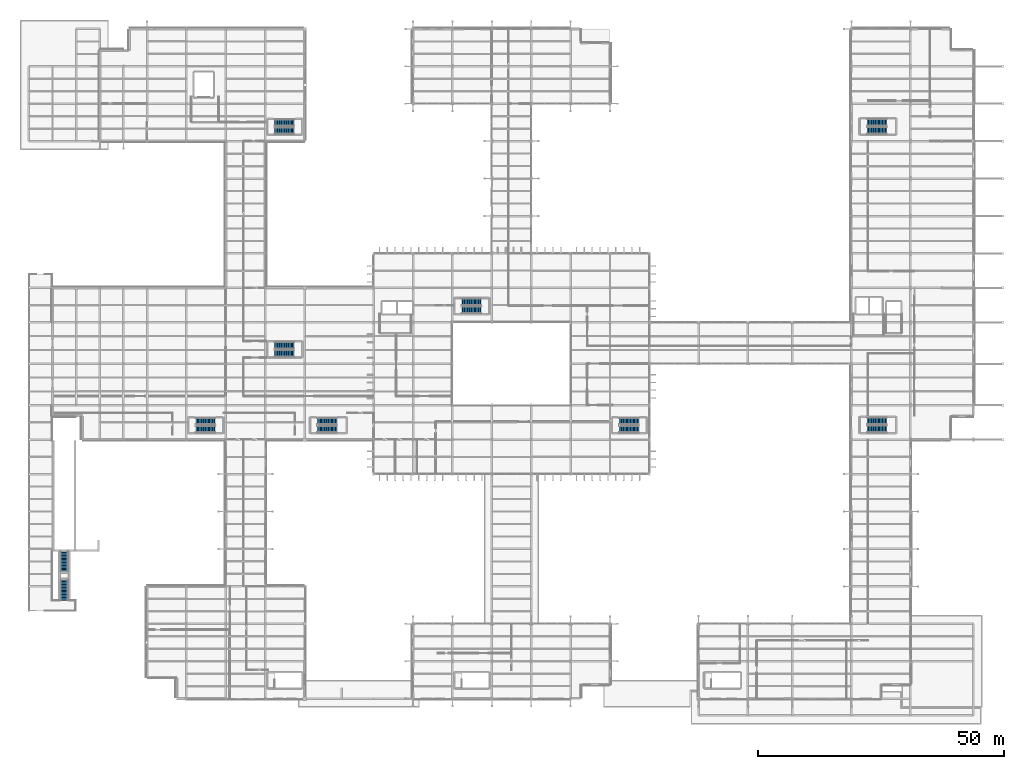
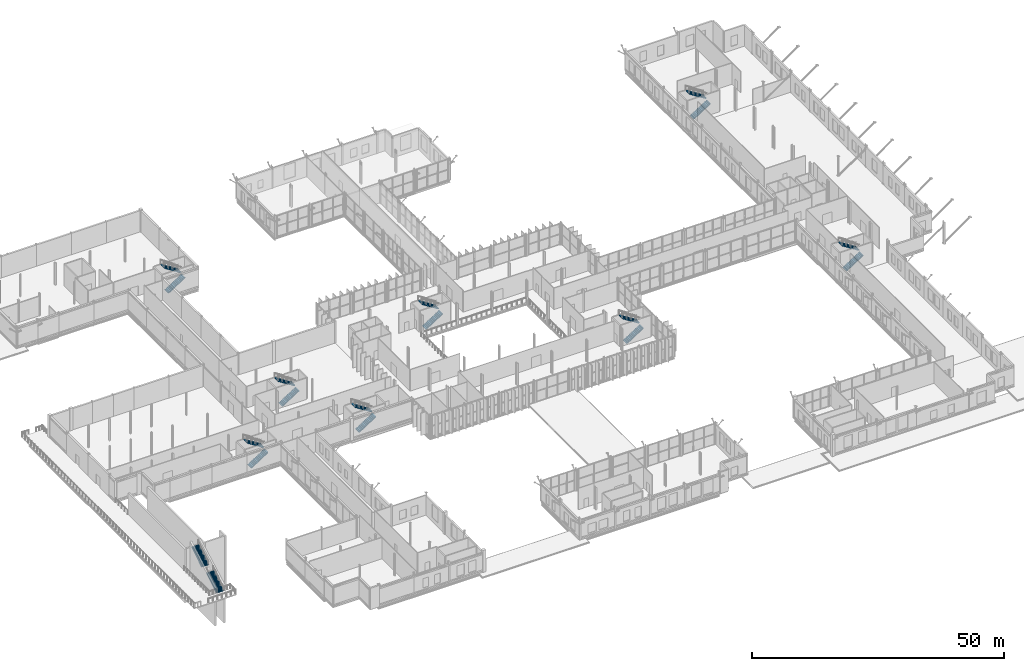
# One storey, part 131 of 147: 18 stair flights, 9 elements without a shape of their own.
"""IFC4 building model written with IfcOpenShell, lengths in metres."""

from ifc_helpers import new_model, si_unit, direction, frame, origin, place, context, subcontext, project, spatial, polyline, outline, extrude, material, type_object, element, aggregate, save


model = new_model("IFC4")

# Units and contexts
model_context = context("Model", 3, precision=1e-05, world=origin(), true_north=direction((0.0, 1.0)))
body_context = subcontext(model_context, "Body", "Model", "MODEL_VIEW")
ifc_project = project(units=[si_unit("LENGTHUNIT", "METRE"), si_unit("AREAUNIT", "SQUARE_METRE"), si_unit("VOLUMEUNIT", "CUBIC_METRE"), si_unit("PLANEANGLEUNIT", "RADIAN"), si_unit("MASSUNIT", "GRAM", prefix="KILO")], contexts=[model_context])

# Site, building, storey
site_placement = place(None, origin())
site = spatial("IfcSite", under=ifc_project, at=site_placement, CompositionType="ELEMENT")
building_placement = place(site_placement, origin())
building = spatial("IfcBuilding", under=site, at=building_placement, Name="Vekula Escarpment Museum", CompositionType="ELEMENT")
storey_placement = place(building_placement, frame((0.0, 0.0, 7.800048828125)))
storey = spatial("IfcBuildingStorey", under=building, at=storey_placement, Name="L02", CompositionType="ELEMENT", Elevation=7.800048828125)

# Stair, stair flights
ifc_material_1 = material(Name="Precast concrete C40/50", Category="concrete")
stair_type_1 = type_object("IfcStairType", Name="STR-AMP-165", PredefinedType="STRAIGHT_RUN_STAIR", material=ifc_material_1)
stair_1_placement = place(storey_placement, origin())
stair_1 = element("IfcStair", 1, at=stair_1_placement, inside=storey, type_object=stair_type_1, Name="South Escarpment Plinth Stair Tier 2 ST-AMP-S2", PredefinedType="STRAIGHT_RUN_STAIR")
ifc_material_2 = material(Name="Precast concrete C40/50", Category="concrete")
stair_flight_type_1 = type_object("IfcStairFlightType", Name="FLT-AMP-165", PredefinedType="STRAIGHT", material=ifc_material_2)
stair_flight_1_placement = place(storey_placement, frame((7.199951171875, 19.97998046875, 0.0), z_axis=(0.0, 0.0, 1.0), x_axis=(0.0, 1.0, 0.0)))
stair_flight_1 = element("IfcStairFlight", 2, at=stair_flight_1_placement, type_object=stair_flight_type_1, Name="ST-AMP-S2 flight 1", NumberOfRisers=15, NumberOfTreads=14, PredefinedType="STRAIGHT", RiserHeight=0.18, TreadLength=0.29, context=body_context, shape_type="SweptSolid", body=[
    extrude(outline(polyline([(0.0, 0.0), (0.0, 0.179931640625), (0.2900390625, 0.179931640625), (0.2900390625, 0.360107421875), (0.580078125, 0.360107421875), (0.580078125, 0.5400390625), (0.8701171875, 0.5400390625), (0.8701171875, 0.719970703125), (1.159912109375, 0.719970703125), (1.159912109375, 0.89990234375), (1.449951171875, 0.89990234375), (1.449951171875, 1.080078125), (1.739990234375, 1.080078125), (1.739990234375, 1.260009765625), (2.030029296875, 1.260009765625), (2.030029296875, 1.43994140625), (2.320068359375, 1.43994140625), (2.320068359375, 1.6201171875), (2.610107421875, 1.6201171875), (2.610107421875, 1.800048828125), (2.89990234375, 1.800048828125), (2.89990234375, 1.97998046875), (3.18994140625, 1.97998046875), (3.18994140625, 2.159912109375), (3.47998046875, 2.159912109375), (3.47998046875, 2.340087890625), (3.77001953125, 2.340087890625), (3.77001953125, 2.52001953125), (4.06005859375, 2.52001953125), (4.06005859375, 2.699951171875), (4.06005859375, 2.30810546875), (0.34130859375, 0.0), (0.0, 0.0)])), frame((0.0, 0.824951171875, 0.0), z_axis=(0.0, -1.0, 0.0), x_axis=(1.0, 0.0, 0.0)), (0.0, 0.0, 1.0), 1.64990234375),
])
stair_flight_2_placement = place(storey_placement, frame((7.199951171875, 25.889892578125, 2.699951171875), z_axis=(0.0, 0.0, 1.0), x_axis=(0.0, 1.0, 0.0)))
stair_flight_2 = element("IfcStairFlight", 3, at=stair_flight_2_placement, type_object=stair_flight_type_1, Name="ST-AMP-S2 flight 2", NumberOfRisers=15, NumberOfTreads=14, PredefinedType="STRAIGHT", RiserHeight=0.18, TreadLength=0.29, context=body_context, shape_type="SweptSolid", body=[
    extrude(outline(polyline([(0.0, 0.0), (0.0, 0.179931640625), (0.2900390625, 0.179931640625), (0.2900390625, 0.360107421875), (0.580078125, 0.360107421875), (0.580078125, 0.5400390625), (0.8701171875, 0.5400390625), (0.8701171875, 0.719970703125), (1.159912109375, 0.719970703125), (1.159912109375, 0.89990234375), (1.449951171875, 0.89990234375), (1.449951171875, 1.080078125), (1.739990234375, 1.080078125), (1.739990234375, 1.260009765625), (2.030029296875, 1.260009765625), (2.030029296875, 1.43994140625), (2.320068359375, 1.43994140625), (2.320068359375, 1.6201171875), (2.610107421875, 1.6201171875), (2.610107421875, 1.800048828125), (2.89990234375, 1.800048828125), (2.89990234375, 1.97998046875), (3.18994140625, 1.97998046875), (3.18994140625, 2.159912109375), (3.47998046875, 2.159912109375), (3.47998046875, 2.340087890625), (3.77001953125, 2.340087890625), (3.77001953125, 2.52001953125), (4.06005859375, 2.52001953125), (4.06005859375, 2.699951171875), (4.06005859375, 2.30810546875), (0.34130859375, 0.0), (0.0, 0.0)])), frame((0.0, 0.824951171875, 0.0), z_axis=(0.0, -1.0, 0.0), x_axis=(1.0, 0.0, 0.0)), (0.0, 0.0, 1.0), 1.64990234375),
])
aggregate(stair_1, [stair_flight_1, stair_flight_2])

ifc_material_3 = material(Name="Concrete C35/45", Category="concrete")
stair_type_2 = type_object("IfcStairType", Name="STR-TYPE-142", PredefinedType="HALF_TURN_STAIR", material=ifc_material_3)
stair_2_placement = place(storey_placement, origin())
stair_2 = element("IfcStair", 4, at=stair_2_placement, inside=storey, type_object=stair_type_2, Name="L02 Central West Exit Stair ST-01", PredefinedType="HALF_TURN_STAIR")
ifc_material_4 = material(Name="Concrete C35/45", Category="concrete")
stair_flight_type_2 = type_object("IfcStairFlightType", Name="FLT-TYPE-142", PredefinedType="STRAIGHT", material=ifc_material_4)
stair_flight_3_placement = place(storey_placement, frame((58.6201171875, 54.7099609375, 0.0), z_axis=(0.0, 0.0, 1.0), x_axis=(1.0, 0.0, 0.0)))
stair_flight_3 = element("IfcStairFlight", 5, at=stair_flight_3_placement, type_object=stair_flight_type_2, Name="ST-01 flight 1", NumberOfRisers=15, NumberOfTreads=14, PredefinedType="STRAIGHT", RiserHeight=0.18, TreadLength=0.28, context=body_context, shape_type="SweptSolid", body=[
    extrude(outline(polyline([(0.0, 0.0), (0.0, 0.179931640625), (0.280029296875, 0.179931640625), (0.280029296875, 0.360107421875), (0.56005859375, 0.360107421875), (0.56005859375, 0.5400390625), (0.840087890625, 0.5400390625), (0.840087890625, 0.719970703125), (1.1201171875, 0.719970703125), (1.1201171875, 0.89990234375), (1.39990234375, 0.89990234375), (1.39990234375, 1.080078125), (1.679931640625, 1.080078125), (1.679931640625, 1.260009765625), (1.9599609375, 1.260009765625), (1.9599609375, 1.43994140625), (2.239990234375, 1.43994140625), (2.239990234375, 1.6201171875), (2.52001953125, 1.6201171875), (2.52001953125, 1.800048828125), (2.800048828125, 1.800048828125), (2.800048828125, 1.97998046875), (3.080078125, 1.97998046875), (3.080078125, 2.159912109375), (3.360107421875, 2.159912109375), (3.360107421875, 2.340087890625), (3.639892578125, 2.340087890625), (3.639892578125, 2.52001953125), (3.919921875, 2.52001953125), (3.919921875, 2.699951171875), (3.919921875, 2.341796875), (0.277099609375, 0.0), (0.0, 0.0)])), frame((0.0, 0.7099609375, 0.0), z_axis=(0.0, -1.0, 0.0), x_axis=(1.0, 0.0, 0.0)), (0.0, 0.0, 1.0), 1.419921875),
])
stair_flight_4_placement = place(storey_placement, frame((62.5400390625, 56.330078125, 2.699951171875), z_axis=(0.0, 0.0, 1.0), x_axis=(-1.0, 0.0, 0.0)))
stair_flight_4 = element("IfcStairFlight", 6, at=stair_flight_4_placement, type_object=stair_flight_type_2, Name="ST-01 flight 2", NumberOfRisers=15, NumberOfTreads=14, PredefinedType="STRAIGHT", RiserHeight=0.18, TreadLength=0.28, context=body_context, shape_type="SweptSolid", body=[
    extrude(outline(polyline([(0.0, 0.0), (0.0, 0.179931640625), (0.280029296875, 0.179931640625), (0.280029296875, 0.360107421875), (0.56005859375, 0.360107421875), (0.56005859375, 0.5400390625), (0.840087890625, 0.5400390625), (0.840087890625, 0.719970703125), (1.1201171875, 0.719970703125), (1.1201171875, 0.89990234375), (1.39990234375, 0.89990234375), (1.39990234375, 1.080078125), (1.679931640625, 1.080078125), (1.679931640625, 1.260009765625), (1.9599609375, 1.260009765625), (1.9599609375, 1.43994140625), (2.239990234375, 1.43994140625), (2.239990234375, 1.6201171875), (2.52001953125, 1.6201171875), (2.52001953125, 1.800048828125), (2.800048828125, 1.800048828125), (2.800048828125, 1.97998046875), (3.080078125, 1.97998046875), (3.080078125, 2.159912109375), (3.360107421875, 2.159912109375), (3.360107421875, 2.340087890625), (3.639892578125, 2.340087890625), (3.639892578125, 2.52001953125), (3.919921875, 2.52001953125), (3.919921875, 2.699951171875), (3.919921875, 2.341796875), (0.277099609375, 0.0), (0.0, 0.0)])), frame((0.0, 0.7099609375, 0.0), z_axis=(0.0, -1.0, 0.0), x_axis=(1.0, 0.0, 0.0)), (0.0, 0.0, 1.0), 1.419921875),
])
aggregate(stair_2, [stair_flight_3, stair_flight_4])

stair_3_placement = place(storey_placement, origin())
stair_3 = element("IfcStair", 7, at=stair_3_placement, inside=storey, type_object=stair_type_2, Name="L02 Archive and Lab Exit Stair ST-03", PredefinedType="HALF_TURN_STAIR")
stair_flight_5_placement = place(storey_placement, frame((49.919921875, 115.31005859375, 0.0), z_axis=(0.0, 0.0, 1.0), x_axis=(1.0, 0.0, 0.0)))
stair_flight_5 = element("IfcStairFlight", 8, at=stair_flight_5_placement, type_object=stair_flight_type_2, Name="ST-03 flight 1", NumberOfRisers=15, NumberOfTreads=14, PredefinedType="STRAIGHT", RiserHeight=0.18, TreadLength=0.28, context=body_context, shape_type="SweptSolid", body=[
    extrude(outline(polyline([(0.0, 0.0), (0.0, 0.179931640625), (0.280029296875, 0.179931640625), (0.280029296875, 0.360107421875), (0.56005859375, 0.360107421875), (0.56005859375, 0.5400390625), (0.840087890625, 0.5400390625), (0.840087890625, 0.719970703125), (1.1201171875, 0.719970703125), (1.1201171875, 0.89990234375), (1.39990234375, 0.89990234375), (1.39990234375, 1.080078125), (1.679931640625, 1.080078125), (1.679931640625, 1.260009765625), (1.9599609375, 1.260009765625), (1.9599609375, 1.43994140625), (2.239990234375, 1.43994140625), (2.239990234375, 1.6201171875), (2.52001953125, 1.6201171875), (2.52001953125, 1.800048828125), (2.800048828125, 1.800048828125), (2.800048828125, 1.97998046875), (3.080078125, 1.97998046875), (3.080078125, 2.159912109375), (3.360107421875, 2.159912109375), (3.360107421875, 2.340087890625), (3.639892578125, 2.340087890625), (3.639892578125, 2.52001953125), (3.919921875, 2.52001953125), (3.919921875, 2.699951171875), (3.919921875, 2.341796875), (0.277099609375, 0.0), (0.0, 0.0)])), frame((0.0, 0.7099609375, 0.0), z_axis=(0.0, -1.0, 0.0), x_axis=(1.0, 0.0, 0.0)), (0.0, 0.0, 1.0), 1.419921875),
])
stair_flight_6_placement = place(storey_placement, frame((53.840087890625, 116.929931640625, 2.699951171875), z_axis=(0.0, 0.0, 1.0), x_axis=(-1.0, 0.0, 0.0)))
stair_flight_6 = element("IfcStairFlight", 9, at=stair_flight_6_placement, type_object=stair_flight_type_2, Name="ST-03 flight 2", NumberOfRisers=15, NumberOfTreads=14, PredefinedType="STRAIGHT", RiserHeight=0.18, TreadLength=0.28, context=body_context, shape_type="SweptSolid", body=[
    extrude(outline(polyline([(0.0, 0.0), (0.0, 0.179931640625), (0.280029296875, 0.179931640625), (0.280029296875, 0.360107421875), (0.56005859375, 0.360107421875), (0.56005859375, 0.5400390625), (0.840087890625, 0.5400390625), (0.840087890625, 0.719970703125), (1.1201171875, 0.719970703125), (1.1201171875, 0.89990234375), (1.39990234375, 0.89990234375), (1.39990234375, 1.080078125), (1.679931640625, 1.080078125), (1.679931640625, 1.260009765625), (1.9599609375, 1.260009765625), (1.9599609375, 1.43994140625), (2.239990234375, 1.43994140625), (2.239990234375, 1.6201171875), (2.52001953125, 1.6201171875), (2.52001953125, 1.800048828125), (2.800048828125, 1.800048828125), (2.800048828125, 1.97998046875), (3.080078125, 1.97998046875), (3.080078125, 2.159912109375), (3.360107421875, 2.159912109375), (3.360107421875, 2.340087890625), (3.639892578125, 2.340087890625), (3.639892578125, 2.52001953125), (3.919921875, 2.52001953125), (3.919921875, 2.699951171875), (3.919921875, 2.341796875), (0.277099609375, 0.0), (0.0, 0.0)])), frame((0.0, 0.7099609375, 0.0), z_axis=(0.0, -1.0, 0.0), x_axis=(1.0, 0.0, 0.0)), (0.0, 0.0, 1.0), 1.419921875),
])
aggregate(stair_3, [stair_flight_5, stair_flight_6])

stair_4_placement = place(storey_placement, origin())
stair_4 = element("IfcStair", 10, at=stair_4_placement, inside=storey, type_object=stair_type_2, Name="L02 Plinth West Exit Stair ST-04", PredefinedType="HALF_TURN_STAIR")
stair_flight_7_placement = place(storey_placement, frame((33.919921875, 54.7099609375, 0.0), z_axis=(0.0, 0.0, 1.0), x_axis=(1.0, 0.0, 0.0)))
stair_flight_7 = element("IfcStairFlight", 11, at=stair_flight_7_placement, type_object=stair_flight_type_2, Name="ST-04 flight 1", NumberOfRisers=15, NumberOfTreads=14, PredefinedType="STRAIGHT", RiserHeight=0.18, TreadLength=0.28, context=body_context, shape_type="SweptSolid", body=[
    extrude(outline(polyline([(0.0, 0.0), (0.0, 0.179931640625), (0.280029296875, 0.179931640625), (0.280029296875, 0.360107421875), (0.56005859375, 0.360107421875), (0.56005859375, 0.5400390625), (0.840087890625, 0.5400390625), (0.840087890625, 0.719970703125), (1.1201171875, 0.719970703125), (1.1201171875, 0.89990234375), (1.39990234375, 0.89990234375), (1.39990234375, 1.080078125), (1.679931640625, 1.080078125), (1.679931640625, 1.260009765625), (1.9599609375, 1.260009765625), (1.9599609375, 1.43994140625), (2.239990234375, 1.43994140625), (2.239990234375, 1.6201171875), (2.52001953125, 1.6201171875), (2.52001953125, 1.800048828125), (2.800048828125, 1.800048828125), (2.800048828125, 1.97998046875), (3.080078125, 1.97998046875), (3.080078125, 2.159912109375), (3.360107421875, 2.159912109375), (3.360107421875, 2.340087890625), (3.639892578125, 2.340087890625), (3.639892578125, 2.52001953125), (3.919921875, 2.52001953125), (3.919921875, 2.699951171875), (3.919921875, 2.341796875), (0.277099609375, 0.0), (0.0, 0.0)])), frame((0.0, 0.7099609375, 0.0), z_axis=(0.0, -1.0, 0.0), x_axis=(1.0, 0.0, 0.0)), (0.0, 0.0, 1.0), 1.419921875),
])
stair_flight_8_placement = place(storey_placement, frame((37.840087890625, 56.330078125, 2.699951171875), z_axis=(0.0, 0.0, 1.0), x_axis=(-1.0, 0.0, 0.0)))
stair_flight_8 = element("IfcStairFlight", 12, at=stair_flight_8_placement, type_object=stair_flight_type_2, Name="ST-04 flight 2", NumberOfRisers=15, NumberOfTreads=14, PredefinedType="STRAIGHT", RiserHeight=0.18, TreadLength=0.28, context=body_context, shape_type="SweptSolid", body=[
    extrude(outline(polyline([(0.0, 0.0), (0.0, 0.179931640625), (0.280029296875, 0.179931640625), (0.280029296875, 0.360107421875), (0.56005859375, 0.360107421875), (0.56005859375, 0.5400390625), (0.840087890625, 0.5400390625), (0.840087890625, 0.719970703125), (1.1201171875, 0.719970703125), (1.1201171875, 0.89990234375), (1.39990234375, 0.89990234375), (1.39990234375, 1.080078125), (1.679931640625, 1.080078125), (1.679931640625, 1.260009765625), (1.9599609375, 1.260009765625), (1.9599609375, 1.43994140625), (2.239990234375, 1.43994140625), (2.239990234375, 1.6201171875), (2.52001953125, 1.6201171875), (2.52001953125, 1.800048828125), (2.800048828125, 1.800048828125), (2.800048828125, 1.97998046875), (3.080078125, 1.97998046875), (3.080078125, 2.159912109375), (3.360107421875, 2.159912109375), (3.360107421875, 2.340087890625), (3.639892578125, 2.340087890625), (3.639892578125, 2.52001953125), (3.919921875, 2.52001953125), (3.919921875, 2.699951171875), (3.919921875, 2.341796875), (0.277099609375, 0.0), (0.0, 0.0)])), frame((0.0, 0.7099609375, 0.0), z_axis=(0.0, -1.0, 0.0), x_axis=(1.0, 0.0, 0.0)), (0.0, 0.0, 1.0), 1.419921875),
])
aggregate(stair_4, [stair_flight_7, stair_flight_8])

stair_5_placement = place(storey_placement, origin())
stair_5 = element("IfcStair", 13, at=stair_5_placement, inside=storey, type_object=stair_type_2, Name="L02 Great Hall East Exit Stair ST-08", PredefinedType="HALF_TURN_STAIR")
stair_flight_9_placement = place(storey_placement, frame((119.919921875, 54.7099609375, 0.0), z_axis=(0.0, 0.0, 1.0), x_axis=(1.0, 0.0, 0.0)))
stair_flight_9 = element("IfcStairFlight", 14, at=stair_flight_9_placement, type_object=stair_flight_type_2, Name="ST-08 flight 1", NumberOfRisers=15, NumberOfTreads=14, PredefinedType="STRAIGHT", RiserHeight=0.18, TreadLength=0.28, context=body_context, shape_type="SweptSolid", body=[
    extrude(outline(polyline([(0.0, 0.0), (0.0, 0.179931640625), (0.280029296875, 0.179931640625), (0.280029296875, 0.360107421875), (0.56005859375, 0.360107421875), (0.56005859375, 0.5400390625), (0.840087890625, 0.5400390625), (0.840087890625, 0.719970703125), (1.1201171875, 0.719970703125), (1.1201171875, 0.89990234375), (1.39990234375, 0.89990234375), (1.39990234375, 1.080078125), (1.679931640625, 1.080078125), (1.679931640625, 1.260009765625), (1.9599609375, 1.260009765625), (1.9599609375, 1.43994140625), (2.239990234375, 1.43994140625), (2.239990234375, 1.6201171875), (2.52001953125, 1.6201171875), (2.52001953125, 1.800048828125), (2.800048828125, 1.800048828125), (2.800048828125, 1.97998046875), (3.080078125, 1.97998046875), (3.080078125, 2.159912109375), (3.360107421875, 2.159912109375), (3.360107421875, 2.340087890625), (3.639892578125, 2.340087890625), (3.639892578125, 2.52001953125), (3.919921875, 2.52001953125), (3.919921875, 2.699951171875), (3.919921875, 2.341796875), (0.277099609375, 0.0), (0.0, 0.0)])), frame((0.0, 0.7099609375, 0.0), z_axis=(0.0, -1.0, 0.0), x_axis=(1.0, 0.0, 0.0)), (0.0, 0.0, 1.0), 1.419921875),
])
stair_flight_10_placement = place(storey_placement, frame((123.840087890625, 56.330078125, 2.699951171875), z_axis=(0.0, 0.0, 1.0), x_axis=(-1.0, 0.0, 0.0)))
stair_flight_10 = element("IfcStairFlight", 15, at=stair_flight_10_placement, type_object=stair_flight_type_2, Name="ST-08 flight 2", NumberOfRisers=15, NumberOfTreads=14, PredefinedType="STRAIGHT", RiserHeight=0.18, TreadLength=0.28, context=body_context, shape_type="SweptSolid", body=[
    extrude(outline(polyline([(0.0, 0.0), (0.0, 0.179931640625), (0.280029296875, 0.179931640625), (0.280029296875, 0.360107421875), (0.56005859375, 0.360107421875), (0.56005859375, 0.5400390625), (0.840087890625, 0.5400390625), (0.840087890625, 0.719970703125), (1.1201171875, 0.719970703125), (1.1201171875, 0.89990234375), (1.39990234375, 0.89990234375), (1.39990234375, 1.080078125), (1.679931640625, 1.080078125), (1.679931640625, 1.260009765625), (1.9599609375, 1.260009765625), (1.9599609375, 1.43994140625), (2.239990234375, 1.43994140625), (2.239990234375, 1.6201171875), (2.52001953125, 1.6201171875), (2.52001953125, 1.800048828125), (2.800048828125, 1.800048828125), (2.800048828125, 1.97998046875), (3.080078125, 1.97998046875), (3.080078125, 2.159912109375), (3.360107421875, 2.159912109375), (3.360107421875, 2.340087890625), (3.639892578125, 2.340087890625), (3.639892578125, 2.52001953125), (3.919921875, 2.52001953125), (3.919921875, 2.699951171875), (3.919921875, 2.341796875), (0.277099609375, 0.0), (0.0, 0.0)])), frame((0.0, 0.7099609375, 0.0), z_axis=(0.0, -1.0, 0.0), x_axis=(1.0, 0.0, 0.0)), (0.0, 0.0, 1.0), 1.419921875),
])
aggregate(stair_5, [stair_flight_9, stair_flight_10])

stair_6_placement = place(storey_placement, origin())
stair_6 = element("IfcStair", 16, at=stair_6_placement, inside=storey, type_object=stair_type_2, Name="L02 Great Hall North Exit Stair ST-09", PredefinedType="HALF_TURN_STAIR")
stair_flight_11_placement = place(storey_placement, frame((87.919921875, 78.909912109375, 0.0), z_axis=(0.0, 0.0, 1.0), x_axis=(1.0, 0.0, 0.0)))
stair_flight_11 = element("IfcStairFlight", 17, at=stair_flight_11_placement, type_object=stair_flight_type_2, Name="ST-09 flight 1", NumberOfRisers=15, NumberOfTreads=14, PredefinedType="STRAIGHT", RiserHeight=0.18, TreadLength=0.28, context=body_context, shape_type="SweptSolid", body=[
    extrude(outline(polyline([(0.0, 0.0), (0.0, 0.179931640625), (0.280029296875, 0.179931640625), (0.280029296875, 0.360107421875), (0.56005859375, 0.360107421875), (0.56005859375, 0.5400390625), (0.840087890625, 0.5400390625), (0.840087890625, 0.719970703125), (1.1201171875, 0.719970703125), (1.1201171875, 0.89990234375), (1.39990234375, 0.89990234375), (1.39990234375, 1.080078125), (1.679931640625, 1.080078125), (1.679931640625, 1.260009765625), (1.9599609375, 1.260009765625), (1.9599609375, 1.43994140625), (2.239990234375, 1.43994140625), (2.239990234375, 1.6201171875), (2.52001953125, 1.6201171875), (2.52001953125, 1.800048828125), (2.800048828125, 1.800048828125), (2.800048828125, 1.97998046875), (3.080078125, 1.97998046875), (3.080078125, 2.159912109375), (3.360107421875, 2.159912109375), (3.360107421875, 2.340087890625), (3.639892578125, 2.340087890625), (3.639892578125, 2.52001953125), (3.919921875, 2.52001953125), (3.919921875, 2.699951171875), (3.919921875, 2.341796875), (0.277099609375, 0.0), (0.0, 0.0)])), frame((0.0, 0.7099609375, 0.0), z_axis=(0.0, -1.0, 0.0), x_axis=(1.0, 0.0, 0.0)), (0.0, 0.0, 1.0), 1.419921875),
])
stair_flight_12_placement = place(storey_placement, frame((91.840087890625, 80.530029296875, 2.699951171875), z_axis=(0.0, 0.0, 1.0), x_axis=(-1.0, 0.0, 0.0)))
stair_flight_12 = element("IfcStairFlight", 18, at=stair_flight_12_placement, type_object=stair_flight_type_2, Name="ST-09 flight 2", NumberOfRisers=15, NumberOfTreads=14, PredefinedType="STRAIGHT", RiserHeight=0.18, TreadLength=0.28, context=body_context, shape_type="SweptSolid", body=[
    extrude(outline(polyline([(0.0, 0.0), (0.0, 0.179931640625), (0.280029296875, 0.179931640625), (0.280029296875, 0.360107421875), (0.56005859375, 0.360107421875), (0.56005859375, 0.5400390625), (0.840087890625, 0.5400390625), (0.840087890625, 0.719970703125), (1.1201171875, 0.719970703125), (1.1201171875, 0.89990234375), (1.39990234375, 0.89990234375), (1.39990234375, 1.080078125), (1.679931640625, 1.080078125), (1.679931640625, 1.260009765625), (1.9599609375, 1.260009765625), (1.9599609375, 1.43994140625), (2.239990234375, 1.43994140625), (2.239990234375, 1.6201171875), (2.52001953125, 1.6201171875), (2.52001953125, 1.800048828125), (2.800048828125, 1.800048828125), (2.800048828125, 1.97998046875), (3.080078125, 1.97998046875), (3.080078125, 2.159912109375), (3.360107421875, 2.159912109375), (3.360107421875, 2.340087890625), (3.639892578125, 2.340087890625), (3.639892578125, 2.52001953125), (3.919921875, 2.52001953125), (3.919921875, 2.699951171875), (3.919921875, 2.341796875), (0.277099609375, 0.0), (0.0, 0.0)])), frame((0.0, 0.7099609375, 0.0), z_axis=(0.0, -1.0, 0.0), x_axis=(1.0, 0.0, 0.0)), (0.0, 0.0, 1.0), 1.419921875),
])
aggregate(stair_6, [stair_flight_11, stair_flight_12])

stair_7_placement = place(storey_placement, origin())
stair_7 = element("IfcStair", 19, at=stair_7_placement, inside=storey, type_object=stair_type_2, Name="L02 Plinth Mid Exit Stair ST-10", PredefinedType="HALF_TURN_STAIR")
stair_flight_13_placement = place(storey_placement, frame((49.919921875, 70.110107421875, 0.0), z_axis=(0.0, 0.0, 1.0), x_axis=(1.0, 0.0, 0.0)))
stair_flight_13 = element("IfcStairFlight", 20, at=stair_flight_13_placement, type_object=stair_flight_type_2, Name="ST-10 flight 1", NumberOfRisers=15, NumberOfTreads=14, PredefinedType="STRAIGHT", RiserHeight=0.18, TreadLength=0.28, context=body_context, shape_type="SweptSolid", body=[
    extrude(outline(polyline([(0.0, 0.0), (0.0, 0.179931640625), (0.280029296875, 0.179931640625), (0.280029296875, 0.360107421875), (0.56005859375, 0.360107421875), (0.56005859375, 0.5400390625), (0.840087890625, 0.5400390625), (0.840087890625, 0.719970703125), (1.1201171875, 0.719970703125), (1.1201171875, 0.89990234375), (1.39990234375, 0.89990234375), (1.39990234375, 1.080078125), (1.679931640625, 1.080078125), (1.679931640625, 1.260009765625), (1.9599609375, 1.260009765625), (1.9599609375, 1.43994140625), (2.239990234375, 1.43994140625), (2.239990234375, 1.6201171875), (2.52001953125, 1.6201171875), (2.52001953125, 1.800048828125), (2.800048828125, 1.800048828125), (2.800048828125, 1.97998046875), (3.080078125, 1.97998046875), (3.080078125, 2.159912109375), (3.360107421875, 2.159912109375), (3.360107421875, 2.340087890625), (3.639892578125, 2.340087890625), (3.639892578125, 2.52001953125), (3.919921875, 2.52001953125), (3.919921875, 2.699951171875), (3.919921875, 2.341796875), (0.277099609375, 0.0), (0.0, 0.0)])), frame((0.0, 0.7099609375, 0.0), z_axis=(0.0, -1.0, 0.0), x_axis=(1.0, 0.0, 0.0)), (0.0, 0.0, 1.0), 1.419921875),
])
stair_flight_14_placement = place(storey_placement, frame((53.840087890625, 71.72998046875, 2.699951171875), z_axis=(0.0, 0.0, 1.0), x_axis=(-1.0, 0.0, 0.0)))
stair_flight_14 = element("IfcStairFlight", 21, at=stair_flight_14_placement, type_object=stair_flight_type_2, Name="ST-10 flight 2", NumberOfRisers=15, NumberOfTreads=14, PredefinedType="STRAIGHT", RiserHeight=0.18, TreadLength=0.28, context=body_context, shape_type="SweptSolid", body=[
    extrude(outline(polyline([(0.0, 0.0), (0.0, 0.179931640625), (0.280029296875, 0.179931640625), (0.280029296875, 0.360107421875), (0.56005859375, 0.360107421875), (0.56005859375, 0.5400390625), (0.840087890625, 0.5400390625), (0.840087890625, 0.719970703125), (1.1201171875, 0.719970703125), (1.1201171875, 0.89990234375), (1.39990234375, 0.89990234375), (1.39990234375, 1.080078125), (1.679931640625, 1.080078125), (1.679931640625, 1.260009765625), (1.9599609375, 1.260009765625), (1.9599609375, 1.43994140625), (2.239990234375, 1.43994140625), (2.239990234375, 1.6201171875), (2.52001953125, 1.6201171875), (2.52001953125, 1.800048828125), (2.800048828125, 1.800048828125), (2.800048828125, 1.97998046875), (3.080078125, 1.97998046875), (3.080078125, 2.159912109375), (3.360107421875, 2.159912109375), (3.360107421875, 2.340087890625), (3.639892578125, 2.340087890625), (3.639892578125, 2.52001953125), (3.919921875, 2.52001953125), (3.919921875, 2.699951171875), (3.919921875, 2.341796875), (0.277099609375, 0.0), (0.0, 0.0)])), frame((0.0, 0.7099609375, 0.0), z_axis=(0.0, -1.0, 0.0), x_axis=(1.0, 0.0, 0.0)), (0.0, 0.0, 1.0), 1.419921875),
])
aggregate(stair_7, [stair_flight_13, stair_flight_14])

ifc_material_5 = material(Name="Concrete C35/45", Category="concrete")
stair_type_3 = type_object("IfcStairType", Name="STR-TYPE-145", PredefinedType="HALF_TURN_STAIR", material=ifc_material_5)
stair_8_placement = place(storey_placement, origin())
stair_8 = element("IfcStair", 22, at=stair_8_placement, inside=storey, type_object=stair_type_3, Name="L02 East Gallery Exit Stair ST-02", PredefinedType="HALF_TURN_STAIR")
ifc_material_6 = material(Name="Concrete C35/45", Category="concrete")
stair_flight_type_3 = type_object("IfcStairFlightType", Name="FLT-TYPE-145", PredefinedType="STRAIGHT", material=ifc_material_6)
stair_flight_15_placement = place(storey_placement, frame((170.25, 54.72509765625, 0.0), z_axis=(0.0, 0.0, 1.0), x_axis=(1.0, 0.0, 0.0)))
stair_flight_15 = element("IfcStairFlight", 23, at=stair_flight_15_placement, type_object=stair_flight_type_3, Name="ST-02 flight 1", NumberOfRisers=15, NumberOfTreads=14, PredefinedType="STRAIGHT", RiserHeight=0.18, TreadLength=0.28, context=body_context, shape_type="SweptSolid", body=[
    extrude(outline(polyline([(0.0, 0.0), (0.0, 0.179931640625), (0.280029296875, 0.179931640625), (0.280029296875, 0.360107421875), (0.56005859375, 0.360107421875), (0.56005859375, 0.5400390625), (0.840087890625, 0.5400390625), (0.840087890625, 0.719970703125), (1.1201171875, 0.719970703125), (1.1201171875, 0.89990234375), (1.39990234375, 0.89990234375), (1.39990234375, 1.080078125), (1.679931640625, 1.080078125), (1.679931640625, 1.260009765625), (1.9599609375, 1.260009765625), (1.9599609375, 1.43994140625), (2.239990234375, 1.43994140625), (2.239990234375, 1.6201171875), (2.52001953125, 1.6201171875), (2.52001953125, 1.800048828125), (2.800048828125, 1.800048828125), (2.800048828125, 1.97998046875), (3.080078125, 1.97998046875), (3.080078125, 2.159912109375), (3.360107421875, 2.159912109375), (3.360107421875, 2.340087890625), (3.639892578125, 2.340087890625), (3.639892578125, 2.52001953125), (3.919921875, 2.52001953125), (3.919921875, 2.699951171875), (3.919921875, 2.341796875), (0.277099609375, 0.0), (0.0, 0.0)])), frame((0.0, 0.72509765625, 0.0), z_axis=(0.0, -1.0, 0.0), x_axis=(1.0, 0.0, 0.0)), (0.0, 0.0, 1.0), 1.449951171875),
])
stair_flight_16_placement = place(storey_placement, frame((174.169921875, 56.375, 2.699951171875), z_axis=(0.0, 0.0, 1.0), x_axis=(-1.0, 0.0, 0.0)))
stair_flight_16 = element("IfcStairFlight", 24, at=stair_flight_16_placement, type_object=stair_flight_type_3, Name="ST-02 flight 2", NumberOfRisers=15, NumberOfTreads=14, PredefinedType="STRAIGHT", RiserHeight=0.18, TreadLength=0.28, context=body_context, shape_type="SweptSolid", body=[
    extrude(outline(polyline([(0.0, 0.0), (0.0, 0.179931640625), (0.280029296875, 0.179931640625), (0.280029296875, 0.360107421875), (0.56005859375, 0.360107421875), (0.56005859375, 0.5400390625), (0.840087890625, 0.5400390625), (0.840087890625, 0.719970703125), (1.1201171875, 0.719970703125), (1.1201171875, 0.89990234375), (1.39990234375, 0.89990234375), (1.39990234375, 1.080078125), (1.679931640625, 1.080078125), (1.679931640625, 1.260009765625), (1.9599609375, 1.260009765625), (1.9599609375, 1.43994140625), (2.239990234375, 1.43994140625), (2.239990234375, 1.6201171875), (2.52001953125, 1.6201171875), (2.52001953125, 1.800048828125), (2.800048828125, 1.800048828125), (2.800048828125, 1.97998046875), (3.080078125, 1.97998046875), (3.080078125, 2.159912109375), (3.360107421875, 2.159912109375), (3.360107421875, 2.340087890625), (3.639892578125, 2.340087890625), (3.639892578125, 2.52001953125), (3.919921875, 2.52001953125), (3.919921875, 2.699951171875), (3.919921875, 2.341796875), (0.277099609375, 0.0), (0.0, 0.0)])), frame((0.0, 0.72509765625, 0.0), z_axis=(0.0, -1.0, 0.0), x_axis=(1.0, 0.0, 0.0)), (0.0, 0.0, 1.0), 1.449951171875),
])
aggregate(stair_8, [stair_flight_15, stair_flight_16])

stair_9_placement = place(storey_placement, origin())
stair_9 = element("IfcStair", 25, at=stair_9_placement, inside=storey, type_object=stair_type_3, Name="L02 Northeast Cumba Exit Stair ST-05", PredefinedType="HALF_TURN_STAIR")
stair_flight_17_placement = place(storey_placement, frame((170.25, 115.324951171875, 0.0), z_axis=(0.0, 0.0, 1.0), x_axis=(1.0, 0.0, 0.0)))
stair_flight_17 = element("IfcStairFlight", 26, at=stair_flight_17_placement, type_object=stair_flight_type_3, Name="ST-05 flight 1", NumberOfRisers=15, NumberOfTreads=14, PredefinedType="STRAIGHT", RiserHeight=0.18, TreadLength=0.28, context=body_context, shape_type="SweptSolid", body=[
    extrude(outline(polyline([(0.0, 0.0), (0.0, 0.179931640625), (0.280029296875, 0.179931640625), (0.280029296875, 0.360107421875), (0.56005859375, 0.360107421875), (0.56005859375, 0.5400390625), (0.840087890625, 0.5400390625), (0.840087890625, 0.719970703125), (1.1201171875, 0.719970703125), (1.1201171875, 0.89990234375), (1.39990234375, 0.89990234375), (1.39990234375, 1.080078125), (1.679931640625, 1.080078125), (1.679931640625, 1.260009765625), (1.9599609375, 1.260009765625), (1.9599609375, 1.43994140625), (2.239990234375, 1.43994140625), (2.239990234375, 1.6201171875), (2.52001953125, 1.6201171875), (2.52001953125, 1.800048828125), (2.800048828125, 1.800048828125), (2.800048828125, 1.97998046875), (3.080078125, 1.97998046875), (3.080078125, 2.159912109375), (3.360107421875, 2.159912109375), (3.360107421875, 2.340087890625), (3.639892578125, 2.340087890625), (3.639892578125, 2.52001953125), (3.919921875, 2.52001953125), (3.919921875, 2.699951171875), (3.919921875, 2.341796875), (0.277099609375, 0.0), (0.0, 0.0)])), frame((0.0, 0.72509765625, 0.0), z_axis=(0.0, -1.0, 0.0), x_axis=(1.0, 0.0, 0.0)), (0.0, 0.0, 1.0), 1.449951171875),
])
stair_flight_18_placement = place(storey_placement, frame((174.169921875, 116.97509765625, 2.699951171875), z_axis=(0.0, 0.0, 1.0), x_axis=(-1.0, 0.0, 0.0)))
stair_flight_18 = element("IfcStairFlight", 27, at=stair_flight_18_placement, type_object=stair_flight_type_3, Name="ST-05 flight 2", NumberOfRisers=15, NumberOfTreads=14, PredefinedType="STRAIGHT", RiserHeight=0.18, TreadLength=0.28, context=body_context, shape_type="SweptSolid", body=[
    extrude(outline(polyline([(0.0, 0.0), (0.0, 0.179931640625), (0.280029296875, 0.179931640625), (0.280029296875, 0.360107421875), (0.56005859375, 0.360107421875), (0.56005859375, 0.5400390625), (0.840087890625, 0.5400390625), (0.840087890625, 0.719970703125), (1.1201171875, 0.719970703125), (1.1201171875, 0.89990234375), (1.39990234375, 0.89990234375), (1.39990234375, 1.080078125), (1.679931640625, 1.080078125), (1.679931640625, 1.260009765625), (1.9599609375, 1.260009765625), (1.9599609375, 1.43994140625), (2.239990234375, 1.43994140625), (2.239990234375, 1.6201171875), (2.52001953125, 1.6201171875), (2.52001953125, 1.800048828125), (2.800048828125, 1.800048828125), (2.800048828125, 1.97998046875), (3.080078125, 1.97998046875), (3.080078125, 2.159912109375), (3.360107421875, 2.159912109375), (3.360107421875, 2.340087890625), (3.639892578125, 2.340087890625), (3.639892578125, 2.52001953125), (3.919921875, 2.52001953125), (3.919921875, 2.699951171875), (3.919921875, 2.341796875), (0.277099609375, 0.0), (0.0, 0.0)])), frame((0.0, 0.72509765625, 0.0), z_axis=(0.0, -1.0, 0.0), x_axis=(1.0, 0.0, 0.0)), (0.0, 0.0, 1.0), 1.449951171875),
])
aggregate(stair_9, [stair_flight_17, stair_flight_18])

save(model, "model.ifc")
